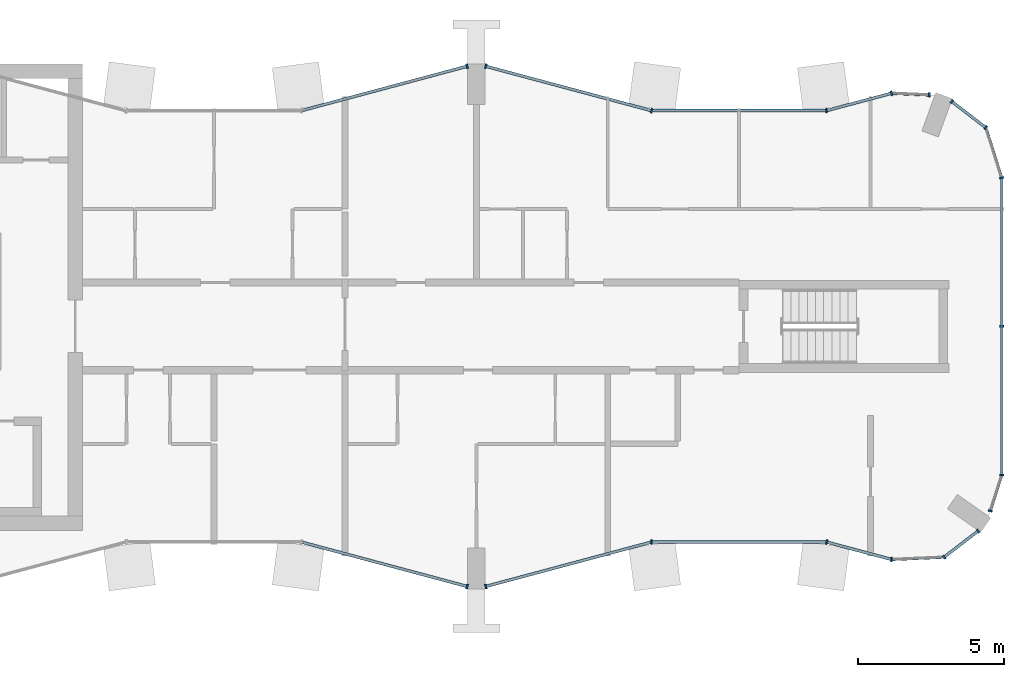
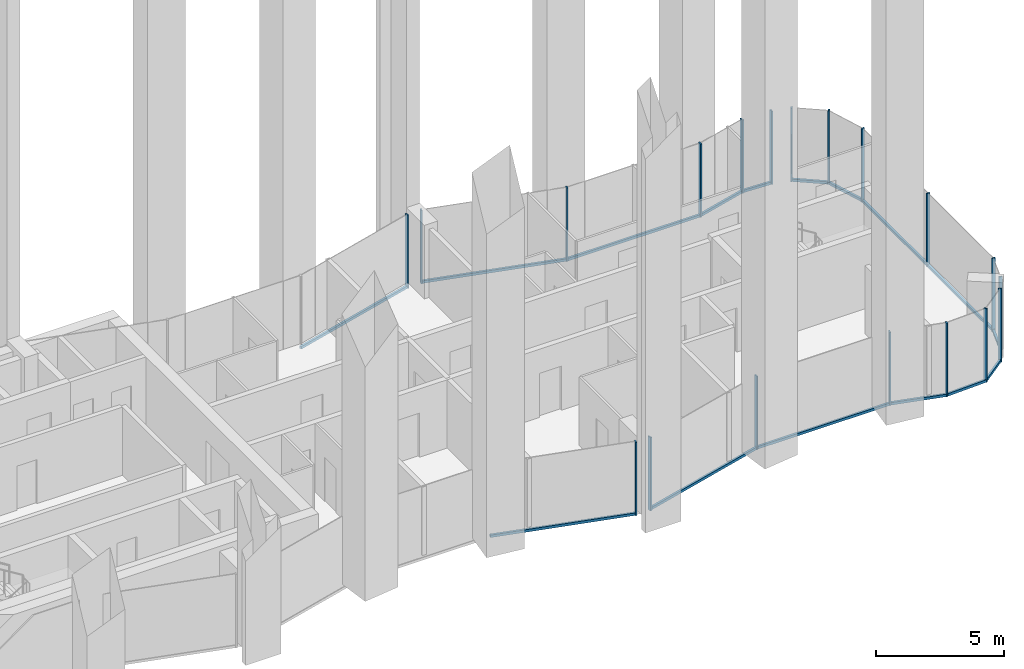
# One storey, part 5 of 11: 34 members, 15 elements without a shape of their own.
"""IFC4 building model written with IfcOpenShell, lengths in metres."""

from ifc_helpers import new_model, si_unit, direction, frame, origin, origin_2d, place, context, subcontext, project, spatial, rectangle, extrude, material, layer, layer_set, material_profile, profile_set, type_object, element, aggregate, save


model = new_model("IFC4")

# Units and contexts
model_context = context("Model", 3, precision=1e-05, world=origin(), true_north=direction((0.0, 1.0)))
body_context = subcontext(model_context, "Body", "Model", "MODEL_VIEW")
ifc_project = project(units=[si_unit("LENGTHUNIT", "METRE"), si_unit("AREAUNIT", "SQUARE_METRE"), si_unit("VOLUMEUNIT", "CUBIC_METRE"), si_unit("PLANEANGLEUNIT", "RADIAN"), si_unit("MASSUNIT", "GRAM", prefix="KILO")], contexts=[model_context])

# Site, building, storey
site_placement = place(None, origin())
site = spatial("IfcSite", under=ifc_project, at=site_placement, CompositionType="ELEMENT")
building_placement = place(site_placement, origin())
building = spatial("IfcBuilding", under=site, at=building_placement, Name="Plateau Cross Towers", CompositionType="ELEMENT")
storey_placement = place(building_placement, frame((0.0, 0.0, 242.39990234375)))
storey = spatial("IfcBuildingStorey", under=building, at=storey_placement, Name="L63", CompositionType="ELEMENT", Elevation=242.39990234375)

# Curtain wall, member
ifc_material_1 = material(Name="Dark low-iron glass", Category="glass")
ifc_layer_1 = layer(ifc_material_1, 0.239990234375)
ifc_layer_set_1 = layer_set([ifc_layer_1], Name="Dark low-iron glass")
curtain_wall_type_1 = type_object("IfcCurtainWallType", Name="Curtain wall flush unitised CW-B", PredefinedType="NOTDEFINED", material=ifc_layer_set_1)
curtain_wall_1_placement = place(storey_placement, origin())
curtain_wall_1 = element("IfcCurtainWall", 1, at=curtain_wall_1_placement, inside=storey, type_object=curtain_wall_type_1, Name="ENV/A/L63/A502_10", PredefinedType="NOTDEFINED")
ifc_material_2 = material(Name="Black anodised aluminium", Category="aluminium")
ifc_material_profile_1 = material_profile(ifc_material_2, rectangle(XDim=0.06005859375, YDim=0.139892578125, at=origin_2d()), Name="MULLION 60x140")
ifc_profile_set_1 = profile_set([ifc_material_profile_1], Name="Black anodised aluminium")
member_type_1 = type_object("IfcMemberType", Name="Mullion 60x140 flush unitised", PredefinedType="MULLION", material=ifc_profile_set_1)
member_1_placement = place(storey_placement, frame((50.223876953125, 1.01123046875, -0.25), z_axis=(0.0, 0.0, 1.0), x_axis=(0.999043701491, 0.043722791671, 0.0)))
member_1 = element("IfcMember", 2, at=member_1_placement, type_object=member_type_1, Name="CW-B mullion 1", PredefinedType="MULLION", context=body_context, shape_type="SweptSolid", body=[
    extrude(rectangle(XDim=0.06005859375, YDim=0.139892578125, at=origin_2d()), origin(), (0.0, 0.0, 1.0), 3.5),
])

# Curtain wall, members
curtain_wall_2_placement = place(storey_placement, origin())
curtain_wall_2 = element("IfcCurtainWall", 3, at=curtain_wall_2_placement, inside=storey, type_object=curtain_wall_type_1, Name="ENV/A/L63/A520_11", PredefinedType="NOTDEFINED")
member_2_placement = place(storey_placement, frame((52.0263671875, 1.090087890625, -0.25), z_axis=(0.0, 0.0, 1.0), x_axis=(0.793315514529, 0.608810721331, 0.0)))
member_2 = element("IfcMember", 4, at=member_2_placement, type_object=member_type_1, Name="CW-B mullion 1", PredefinedType="MULLION", context=body_context, shape_type="SweptSolid", body=[
    extrude(rectangle(XDim=0.06005859375, YDim=0.139892578125, at=origin_2d()), origin(), (0.0, 0.0, 1.0), 3.5),
])
member_3_placement = place(storey_placement, frame((53.193603515625, 1.986083984375, -0.25), z_axis=(0.0, 0.0, 1.0), x_axis=(0.793315514529, 0.608810721331, 0.0)))
member_3 = element("IfcMember", 5, at=member_3_placement, type_object=member_type_1, Name="CW-B mullion 2", PredefinedType="MULLION", context=body_context, shape_type="SweptSolid", body=[
    extrude(rectangle(XDim=0.06005859375, YDim=0.139892578125, at=origin_2d()), origin(), (0.0, 0.0, 1.0), 3.5),
])

# Curtain wall, member
curtain_wall_3_placement = place(storey_placement, origin())
curtain_wall_3 = element("IfcCurtainWall", 6, at=curtain_wall_3_placement, inside=storey, type_object=curtain_wall_type_1, Name="ENV/A/L63/A536_27", PredefinedType="NOTDEFINED")
member_4_placement = place(storey_placement, frame((53.611083984375, 2.67529296875, -0.25), z_axis=(0.0, 0.0, 1.0), x_axis=(0.300686174994, 0.95372313811, 0.0)))
member_4 = element("IfcMember", 7, at=member_4_placement, type_object=member_type_1, Name="CW-B mullion 1", PredefinedType="MULLION", context=body_context, shape_type="SweptSolid", body=[
    extrude(rectangle(XDim=0.06005859375, YDim=0.139892578125, at=origin_2d()), origin(), (0.0, 0.0, 1.0), 3.5),
])

# Curtain wall, members
curtain_wall_4_placement = place(storey_placement, origin())
curtain_wall_4 = element("IfcCurtainWall", 8, at=curtain_wall_4_placement, inside=storey, type_object=curtain_wall_type_1, Name="ENV/A/L63/A540_39", PredefinedType="NOTDEFINED")
member_5_placement = place(storey_placement, frame((54.0, 3.9091796875, -0.25), z_axis=(0.0, 0.0, 1.0), x_axis=(0.0, 1.0, 0.0)))
member_5 = element("IfcMember", 9, at=member_5_placement, type_object=member_type_1, Name="CW-B mullion 1", PredefinedType="MULLION", context=body_context, shape_type="SweptSolid", body=[
    extrude(rectangle(XDim=0.06005859375, YDim=0.139892578125, at=origin_2d()), origin(), (0.0, 0.0, 1.0), 3.5),
])
member_6_placement = place(storey_placement, frame((54.0, 9.0, -0.25), z_axis=(0.0, 0.0, 1.0), x_axis=(0.0, 1.0, 0.0)))
member_6 = element("IfcMember", 10, at=member_6_placement, type_object=member_type_1, Name="CW-B mullion 2", PredefinedType="MULLION", context=body_context, shape_type="SweptSolid", body=[
    extrude(rectangle(XDim=0.06005859375, YDim=0.139892578125, at=origin_2d()), origin(), (0.0, 0.0, 1.0), 3.5),
])

# Curtain wall, member
curtain_wall_5_placement = place(storey_placement, origin())
curtain_wall_5 = element("IfcCurtainWall", 11, at=curtain_wall_5_placement, inside=storey, type_object=curtain_wall_type_1, Name="ENV/A/L63/A540_141", PredefinedType="NOTDEFINED")
member_7_placement = place(storey_placement, frame((54.0, 14.0908203125, -0.25), z_axis=(0.0, 0.0, 1.0), x_axis=(-0.300686174994, 0.95372313811, 0.0)))
member_7 = element("IfcMember", 12, at=member_7_placement, type_object=member_type_1, Name="CW-B mullion 1", PredefinedType="MULLION", context=body_context, shape_type="SweptSolid", body=[
    extrude(rectangle(XDim=0.06005859375, YDim=0.139892578125, at=origin_2d()), origin(), (0.0, 0.0, 1.0), 3.5),
])

# Curtain wall, members
curtain_wall_6_placement = place(storey_placement, origin())
curtain_wall_6 = element("IfcCurtainWall", 13, at=curtain_wall_6_placement, inside=storey, type_object=curtain_wall_type_1, Name="ENV/A/L63/A535_158", PredefinedType="NOTDEFINED")
member_8_placement = place(storey_placement, frame((53.45751953125, 15.8115234375, -0.25), z_axis=(0.0, 0.0, 1.0), x_axis=(-0.793315514529, 0.608810721331, 0.0)))
member_8 = element("IfcMember", 14, at=member_8_placement, type_object=member_type_1, Name="CW-B mullion 1", PredefinedType="MULLION", context=body_context, shape_type="SweptSolid", body=[
    extrude(rectangle(XDim=0.06005859375, YDim=0.139892578125, at=origin_2d()), origin(), (0.0, 0.0, 1.0), 3.5),
])
member_9_placement = place(storey_placement, frame((52.290283203125, 16.707275390625, -0.25), z_axis=(0.0, 0.0, 1.0), x_axis=(-0.793315514529, 0.608810721331, 0.0)))
member_9 = element("IfcMember", 15, at=member_9_placement, type_object=member_type_1, Name="CW-B mullion 2", PredefinedType="MULLION", context=body_context, shape_type="SweptSolid", body=[
    extrude(rectangle(XDim=0.06005859375, YDim=0.139892578125, at=origin_2d()), origin(), (0.0, 0.0, 1.0), 3.5),
])

# Curtain wall, member
curtain_wall_7_placement = place(storey_placement, origin())
curtain_wall_7 = element("IfcCurtainWall", 16, at=curtain_wall_7_placement, inside=storey, type_object=curtain_wall_type_1, Name="ENV/A/L63/A515_169", PredefinedType="NOTDEFINED")
member_10_placement = place(storey_placement, frame((51.516357421875, 16.93212890625, -0.25), z_axis=(0.0, 0.0, 1.0), x_axis=(-0.999043701491, 0.043722791671, 0.0)))
member_10 = element("IfcMember", 17, at=member_10_placement, type_object=member_type_1, Name="CW-B mullion 1", PredefinedType="MULLION", context=body_context, shape_type="SweptSolid", body=[
    extrude(rectangle(XDim=0.06005859375, YDim=0.139892578125, at=origin_2d()), origin(), (0.0, 0.0, 1.0), 3.5),
])

ifc_layer_2 = layer(ifc_material_1, 0.260009765625)
ifc_layer_set_2 = layer_set([ifc_layer_2], Name="Dark low-iron glass")
curtain_wall_type_2 = type_object("IfcCurtainWallType", Name="Curtain wall fluted unitised CW-A", PredefinedType="NOTDEFINED", material=ifc_layer_set_2)
curtain_wall_8_placement = place(storey_placement, origin())
curtain_wall_8 = element("IfcCurtainWall", 18, at=curtain_wall_8_placement, inside=storey, type_object=curtain_wall_type_2, Name="ENV/A/L63/A300_16", PredefinedType="NOTDEFINED")
ifc_material_profile_2 = material_profile(ifc_material_2, rectangle(XDim=0.06005859375, YDim=0.159912109375, at=origin_2d()), Name="MULLION 60x160")
ifc_profile_set_2 = profile_set([ifc_material_profile_2], Name="Black anodised aluminium")
member_type_2 = type_object("IfcMemberType", Name="Mullion 60x160 fluted unitised", PredefinedType="MULLION", material=ifc_profile_set_2)
member_11_placement = place(storey_placement, frame((35.68212890625, 0.085205078125, -0.25), z_axis=(0.0, 0.0, 1.0), x_axis=(0.965957983404, -0.258699003279, 0.0)))
member_11 = element("IfcMember", 19, at=member_11_placement, type_object=member_type_2, Name="CW-A mullion 2", PredefinedType="MULLION", context=body_context, shape_type="SweptSolid", body=[
    extrude(rectangle(XDim=0.06005859375, YDim=0.159912109375, at=origin_2d()), origin(), (0.0, 0.0, 1.0), 3.5),
])

curtain_wall_9_placement = place(storey_placement, origin())
curtain_wall_9 = element("IfcCurtainWall", 20, at=curtain_wall_9_placement, inside=storey, type_object=curtain_wall_type_2, Name="ENV/A/L63/A363_1", PredefinedType="NOTDEFINED")
member_12_placement = place(storey_placement, frame((36.31787109375, 0.085205078125, -0.25), z_axis=(0.0, 0.0, 1.0), x_axis=(0.965957983404, 0.258699003279, 0.0)))
member_12 = element("IfcMember", 21, at=member_12_placement, type_object=member_type_2, Name="CW-A mullion 1", PredefinedType="MULLION", context=body_context, shape_type="SweptSolid", body=[
    extrude(rectangle(XDim=0.06005859375, YDim=0.159912109375, at=origin_2d()), origin(), (0.0, 0.0, 1.0), 3.5),
])

curtain_wall_10_placement = place(storey_placement, origin())
curtain_wall_10 = element("IfcCurtainWall", 22, at=curtain_wall_10_placement, inside=storey, type_object=curtain_wall_type_2, Name="ENV/A/L63/A420_16", PredefinedType="NOTDEFINED")
member_13_placement = place(storey_placement, frame((42.0, 1.60693359375, -0.25), z_axis=(0.0, 0.0, 1.0), x_axis=(1.0, 0.0, 0.0)))
member_13 = element("IfcMember", 23, at=member_13_placement, type_object=member_type_2, Name="CW-A mullion 1", PredefinedType="MULLION", context=body_context, shape_type="SweptSolid", body=[
    extrude(rectangle(XDim=0.06005859375, YDim=0.159912109375, at=origin_2d()), origin(), (0.0, 0.0, 1.0), 3.5),
])

curtain_wall_11_placement = place(storey_placement, origin())
curtain_wall_11 = element("IfcCurtainWall", 24, at=curtain_wall_11_placement, inside=storey, type_object=curtain_wall_type_2, Name="ENV/A/L63/A480_16", PredefinedType="NOTDEFINED")
member_14_placement = place(storey_placement, frame((48.0, 1.60693359375, -0.25), z_axis=(0.0, 0.0, 1.0), x_axis=(0.965957962328, -0.258699081978, 0.0)))
member_14 = element("IfcMember", 25, at=member_14_placement, type_object=member_type_2, Name="CW-A mullion 1", PredefinedType="MULLION", context=body_context, shape_type="SweptSolid", body=[
    extrude(rectangle(XDim=0.06005859375, YDim=0.159912109375, at=origin_2d()), origin(), (0.0, 0.0, 1.0), 3.5),
])

curtain_wall_12_placement = place(storey_placement, origin())
curtain_wall_12 = element("IfcCurtainWall", 26, at=curtain_wall_12_placement, inside=storey, type_object=curtain_wall_type_2, Name="ENV/A/L63/A502_170", PredefinedType="NOTDEFINED")
member_15_placement = place(storey_placement, frame((50.223876953125, 16.98876953125, -0.25), z_axis=(0.0, 0.0, 1.0), x_axis=(-0.965957962328, -0.258699081978, 0.0)))
member_15 = element("IfcMember", 27, at=member_15_placement, type_object=member_type_2, Name="CW-A mullion 1", PredefinedType="MULLION", context=body_context, shape_type="SweptSolid", body=[
    extrude(rectangle(XDim=0.06005859375, YDim=0.159912109375, at=origin_2d()), origin(), (0.0, 0.0, 1.0), 3.5),
])

curtain_wall_13_placement = place(storey_placement, origin())
curtain_wall_13 = element("IfcCurtainWall", 28, at=curtain_wall_13_placement, inside=storey, type_object=curtain_wall_type_2, Name="ENV/A/L63/A480_164", PredefinedType="NOTDEFINED")
member_16_placement = place(storey_placement, frame((48.0, 16.39306640625, -0.25), z_axis=(0.0, 0.0, 1.0), x_axis=(-1.0, 0.0, 0.0)))
member_16 = element("IfcMember", 29, at=member_16_placement, type_object=member_type_2, Name="CW-A mullion 1", PredefinedType="MULLION", context=body_context, shape_type="SweptSolid", body=[
    extrude(rectangle(XDim=0.06005859375, YDim=0.159912109375, at=origin_2d()), origin(), (0.0, 0.0, 1.0), 3.5),
])

# Curtain wall, members
curtain_wall_14_placement = place(storey_placement, origin())
curtain_wall_14 = element("IfcCurtainWall", 30, at=curtain_wall_14_placement, inside=storey, type_object=curtain_wall_type_2, Name="ENV/A/L63/A420_164", PredefinedType="NOTDEFINED")
member_17_placement = place(storey_placement, frame((42.0, 16.39306640625, -0.25), z_axis=(0.0, 0.0, 1.0), x_axis=(-0.965957983404, 0.258699003279, 0.0)))
member_17 = element("IfcMember", 31, at=member_17_placement, type_object=member_type_2, Name="CW-A mullion 1", PredefinedType="MULLION", context=body_context, shape_type="SweptSolid", body=[
    extrude(rectangle(XDim=0.06005859375, YDim=0.159912109375, at=origin_2d()), origin(), (0.0, 0.0, 1.0), 3.5),
])
member_18_placement = place(storey_placement, frame((36.31787109375, 17.914794921875, -0.25), z_axis=(0.0, 0.0, 1.0), x_axis=(-0.965957983404, 0.258699003279, 0.0)))
member_18 = element("IfcMember", 32, at=member_18_placement, type_object=member_type_2, Name="CW-A mullion 2", PredefinedType="MULLION", context=body_context, shape_type="SweptSolid", body=[
    extrude(rectangle(XDim=0.06005859375, YDim=0.159912109375, at=origin_2d()), origin(), (0.0, 0.0, 1.0), 3.5),
])

# Curtain wall, member
curtain_wall_15_placement = place(storey_placement, origin())
curtain_wall_15 = element("IfcCurtainWall", 33, at=curtain_wall_15_placement, inside=storey, type_object=curtain_wall_type_2, Name="ENV/A/L63/A357_179", PredefinedType="NOTDEFINED")
member_19_placement = place(storey_placement, frame((35.68212890625, 17.914794921875, -0.25), z_axis=(0.0, 0.0, 1.0), x_axis=(-0.965957983404, -0.258699003279, 0.0)))
member_19 = element("IfcMember", 34, at=member_19_placement, type_object=member_type_2, Name="CW-A mullion 1", PredefinedType="MULLION", context=body_context, shape_type="SweptSolid", body=[
    extrude(rectangle(XDim=0.06005859375, YDim=0.159912109375, at=origin_2d()), origin(), (0.0, 0.0, 1.0), 3.5),
])

# Member
ifc_material_profile_3 = material_profile(ifc_material_2, rectangle(XDim=0.10009765625, YDim=0.1201171875, at=origin_2d()), Name="TRANSOM 100x120")
ifc_profile_set_3 = profile_set([ifc_material_profile_3], Name="Black anodised aluminium")
member_type_3 = type_object("IfcMemberType", Name="Transom 100x120 flush unitised", PredefinedType="USERDEFINED", material=ifc_profile_set_3)
member_20_placement = place(storey_placement, frame((50.223876953125, 1.01123046875, -0.18994140625), z_axis=(0.999044377355, 0.043707345779, 0.0), x_axis=(-0.043707345779, 0.999044377355, 0.0)))
member_20 = element("IfcMember", 35, at=member_20_placement, type_object=member_type_3, Name="CW-B transom", ObjectType="TRANSOM", PredefinedType="USERDEFINED", context=body_context, shape_type="SweptSolid", body=[
    extrude(rectangle(XDim=0.10009765625, YDim=0.1201171875, at=origin_2d()), origin(), (0.0, 0.0, 1.0), 1.80419921875),
])

aggregate(curtain_wall_1, [member_1, member_20])

member_21_placement = place(storey_placement, frame((52.0263671875, 1.090087890625, -0.18994140625), z_axis=(0.793240368515, 0.608908628415, 0.0), x_axis=(-0.608908628415, 0.793240368515, 0.0)))
member_21 = element("IfcMember", 36, at=member_21_placement, type_object=member_type_3, Name="CW-B transom", ObjectType="TRANSOM", PredefinedType="USERDEFINED", context=body_context, shape_type="SweptSolid", body=[
    extrude(rectangle(XDim=0.10009765625, YDim=0.1201171875, at=origin_2d()), origin(), (0.0, 0.0, 1.0), 1.471435546875),
])

aggregate(curtain_wall_2, [member_2, member_3, member_21])

member_22_placement = place(storey_placement, frame((53.611083984375, 2.67529296875, -0.18994140625), z_axis=(0.300616528216, 0.953745093284, 0.0), x_axis=(-0.953745093284, 0.300616528216, 0.0)))
member_22 = element("IfcMember", 37, at=member_22_placement, type_object=member_type_3, Name="CW-B transom", ObjectType="TRANSOM", PredefinedType="USERDEFINED", context=body_context, shape_type="SweptSolid", body=[
    extrude(rectangle(XDim=0.10009765625, YDim=0.1201171875, at=origin_2d()), origin(), (0.0, 0.0, 1.0), 1.293701171875),
])

aggregate(curtain_wall_3, [member_4, member_22])

member_23_placement = place(storey_placement, frame((54.0, 3.9091796875, -0.18994140625), z_axis=(0.0, 1.0, 0.0), x_axis=(-1.0, 0.0, 0.0)))
member_23 = element("IfcMember", 38, at=member_23_placement, type_object=member_type_3, Name="CW-B transom", ObjectType="TRANSOM", PredefinedType="USERDEFINED", context=body_context, shape_type="SweptSolid", body=[
    extrude(rectangle(XDim=0.10009765625, YDim=0.1201171875, at=origin_2d()), origin(), (0.0, 0.0, 1.0), 10.181640625),
])

aggregate(curtain_wall_4, [member_5, member_6, member_23])

member_24_placement = place(storey_placement, frame((54.0, 14.0908203125, -0.18994140625), z_axis=(-0.30067799945, 0.953725715626, 0.0), x_axis=(-0.953725715626, -0.30067799945, 0.0)))
member_24 = element("IfcMember", 39, at=member_24_placement, type_object=member_type_3, Name="CW-B transom", ObjectType="TRANSOM", PredefinedType="USERDEFINED", context=body_context, shape_type="SweptSolid", body=[
    extrude(rectangle(XDim=0.10009765625, YDim=0.1201171875, at=origin_2d()), origin(), (0.0, 0.0, 1.0), 1.80419921875),
])

aggregate(curtain_wall_5, [member_7, member_24])

member_25_placement = place(storey_placement, frame((53.45751953125, 15.8115234375, -0.18994140625), z_axis=(-0.793320508571, 0.608804213751, 0.0), x_axis=(-0.608804213751, -0.793320508571, 0.0)))
member_25 = element("IfcMember", 40, at=member_25_placement, type_object=member_type_3, Name="CW-B transom", ObjectType="TRANSOM", PredefinedType="USERDEFINED", context=body_context, shape_type="SweptSolid", body=[
    extrude(rectangle(XDim=0.10009765625, YDim=0.1201171875, at=origin_2d()), origin(), (0.0, 0.0, 1.0), 1.471435546875),
])

aggregate(curtain_wall_6, [member_8, member_9, member_25])

member_26_placement = place(storey_placement, frame((51.516357421875, 16.93212890625, -0.18994140625), z_axis=(-0.999041144614, 0.043781175963, 0.0), x_axis=(-0.043781175963, -0.999041144614, 0.0)))
member_26 = element("IfcMember", 41, at=member_26_placement, type_object=member_type_3, Name="CW-B transom", ObjectType="TRANSOM", PredefinedType="USERDEFINED", context=body_context, shape_type="SweptSolid", body=[
    extrude(rectangle(XDim=0.10009765625, YDim=0.1201171875, at=origin_2d()), origin(), (0.0, 0.0, 1.0), 1.293701171875),
])

aggregate(curtain_wall_7, [member_10, member_26])

ifc_material_profile_4 = material_profile(ifc_material_2, rectangle(XDim=0.10009765625, YDim=0.1201171875, at=origin_2d()), Name="TRANSOM 100x120")
ifc_profile_set_4 = profile_set([ifc_material_profile_4], Name="Black anodised aluminium")
member_type_4 = type_object("IfcMemberType", Name="Transom 100x120 fluted unitised", PredefinedType="USERDEFINED", material=ifc_profile_set_4)
member_27_placement = place(storey_placement, frame((30.0, 1.60693359375, -0.18994140625), z_axis=(0.965959534794, -0.258693210465, 0.0), x_axis=(0.258693210465, 0.965959534794, 0.0)))
member_27 = element("IfcMember", 42, at=member_27_placement, type_object=member_type_4, Name="CW-A transom", ObjectType="TRANSOM", PredefinedType="USERDEFINED", context=body_context, shape_type="SweptSolid", body=[
    extrude(rectangle(XDim=0.10009765625, YDim=0.1201171875, at=origin_2d()), origin(), (0.0, 0.0, 1.0), 5.88232421875),
])

aggregate(curtain_wall_8, [member_11, member_27])

member_28_placement = place(storey_placement, frame((36.31787109375, 0.085205078125, -0.18994140625), z_axis=(0.965959534794, 0.258693210465, 0.0), x_axis=(-0.258693210465, 0.965959534794, 0.0)))
member_28 = element("IfcMember", 43, at=member_28_placement, type_object=member_type_4, Name="CW-A transom", ObjectType="TRANSOM", PredefinedType="USERDEFINED", context=body_context, shape_type="SweptSolid", body=[
    extrude(rectangle(XDim=0.10009765625, YDim=0.1201171875, at=origin_2d()), origin(), (0.0, 0.0, 1.0), 5.88232421875),
])

aggregate(curtain_wall_9, [member_12, member_28])

member_29_placement = place(storey_placement, frame((42.0, 1.60693359375, -0.18994140625), z_axis=(1.0, 0.0, 0.0), x_axis=(0.0, 1.0, 0.0)))
member_29 = element("IfcMember", 44, at=member_29_placement, type_object=member_type_4, Name="CW-A transom", ObjectType="TRANSOM", PredefinedType="USERDEFINED", context=body_context, shape_type="SweptSolid", body=[
    extrude(rectangle(XDim=0.10009765625, YDim=0.1201171875, at=origin_2d()), origin(), (0.0, 0.0, 1.0), 6.0),
])

aggregate(curtain_wall_10, [member_13, member_29])

member_30_placement = place(storey_placement, frame((48.0, 1.60693359375, -0.18994140625), z_axis=(0.965945685136, -0.258744919501, 0.0), x_axis=(0.258744919501, 0.965945685136, 0.0)))
member_30 = element("IfcMember", 45, at=member_30_placement, type_object=member_type_4, Name="CW-A transom", ObjectType="TRANSOM", PredefinedType="USERDEFINED", context=body_context, shape_type="SweptSolid", body=[
    extrude(rectangle(XDim=0.10009765625, YDim=0.1201171875, at=origin_2d()), origin(), (0.0, 0.0, 1.0), 2.30224609375),
])

aggregate(curtain_wall_11, [member_14, member_30])

member_31_placement = place(storey_placement, frame((50.223876953125, 16.98876953125, -0.18994140625), z_axis=(-0.965945685136, -0.258744919501, 0.0), x_axis=(0.258744919501, -0.965945685136, 0.0)))
member_31 = element("IfcMember", 46, at=member_31_placement, type_object=member_type_4, Name="CW-A transom", ObjectType="TRANSOM", PredefinedType="USERDEFINED", context=body_context, shape_type="SweptSolid", body=[
    extrude(rectangle(XDim=0.10009765625, YDim=0.1201171875, at=origin_2d()), origin(), (0.0, 0.0, 1.0), 2.30224609375),
])

aggregate(curtain_wall_12, [member_15, member_31])

member_32_placement = place(storey_placement, frame((48.0, 16.39306640625, -0.18994140625), z_axis=(-1.0, 0.0, 0.0), x_axis=(0.0, -1.0, 0.0)))
member_32 = element("IfcMember", 47, at=member_32_placement, type_object=member_type_4, Name="CW-A transom", ObjectType="TRANSOM", PredefinedType="USERDEFINED", context=body_context, shape_type="SweptSolid", body=[
    extrude(rectangle(XDim=0.10009765625, YDim=0.1201171875, at=origin_2d()), origin(), (0.0, 0.0, 1.0), 6.0),
])

aggregate(curtain_wall_13, [member_16, member_32])

member_33_placement = place(storey_placement, frame((42.0, 16.39306640625, -0.18994140625), z_axis=(-0.965959534794, 0.258693210465, 0.0), x_axis=(-0.258693210465, -0.965959534794, 0.0)))
member_33 = element("IfcMember", 48, at=member_33_placement, type_object=member_type_4, Name="CW-A transom", ObjectType="TRANSOM", PredefinedType="USERDEFINED", context=body_context, shape_type="SweptSolid", body=[
    extrude(rectangle(XDim=0.10009765625, YDim=0.1201171875, at=origin_2d()), origin(), (0.0, 0.0, 1.0), 5.88232421875),
])

aggregate(curtain_wall_14, [member_17, member_18, member_33])

member_34_placement = place(storey_placement, frame((35.68212890625, 17.914794921875, -0.18994140625), z_axis=(-0.965959534794, -0.258693210465, 0.0), x_axis=(0.258693210465, -0.965959534794, 0.0)))
member_34 = element("IfcMember", 49, at=member_34_placement, type_object=member_type_4, Name="CW-A transom", ObjectType="TRANSOM", PredefinedType="USERDEFINED", context=body_context, shape_type="SweptSolid", body=[
    extrude(rectangle(XDim=0.10009765625, YDim=0.1201171875, at=origin_2d()), origin(), (0.0, 0.0, 1.0), 5.88232421875),
])

aggregate(curtain_wall_15, [member_19, member_34])

save(model, "model.ifc")
